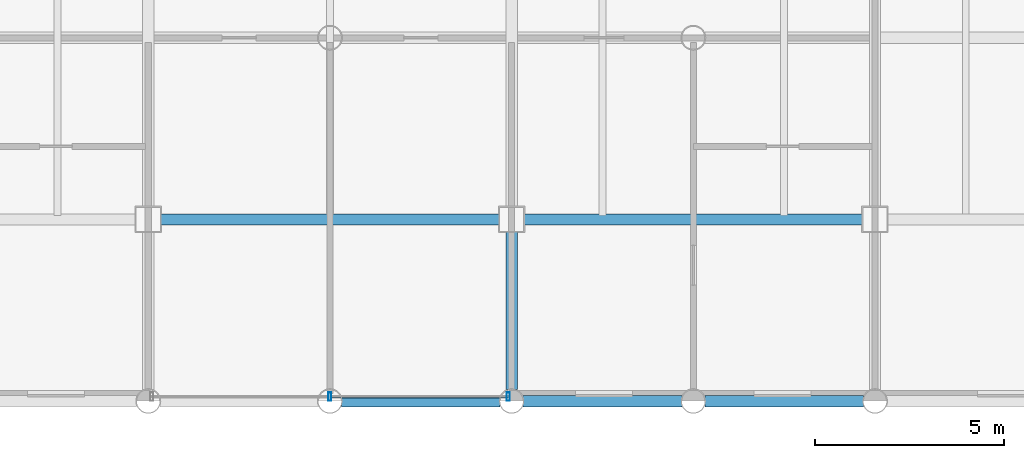
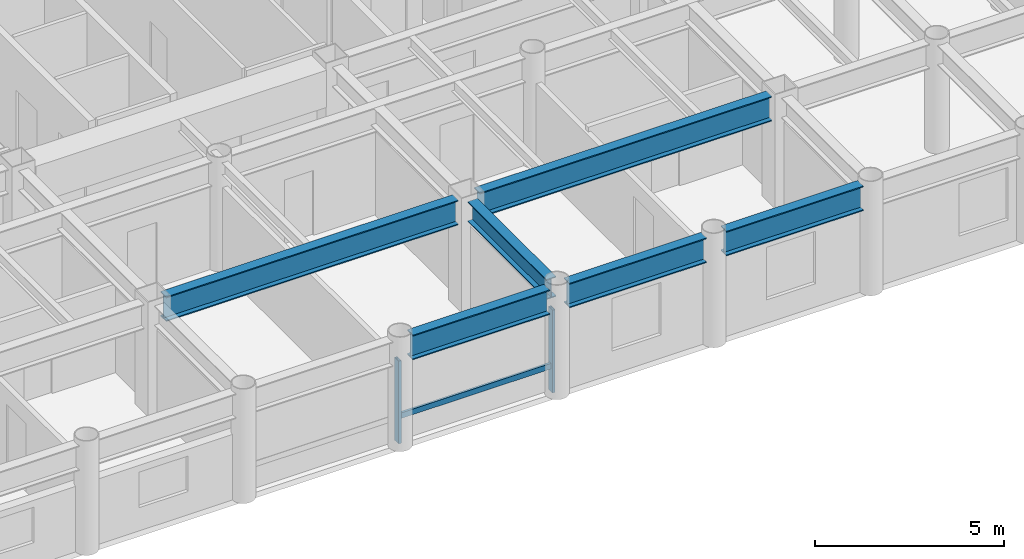
# One storey, part 6 of 20: 6 beams, 3 members, 1 element without a shape of its own.
"""IFC4 building model written with IfcOpenShell, lengths in metres."""

from ifc_helpers import new_model, si_unit, direction, frame, origin, origin_2d, place, context, subcontext, project, spatial, hollow_rectangle, i_section, extrude, material, layer, layer_set, material_profile, profile_set, type_object, element, aggregate, save


model = new_model("IFC4")

# Units and contexts
model_context = context("Model", 3, precision=1e-05, world=origin(), true_north=direction((0.0, 1.0)))
body_context = subcontext(model_context, "Body", "Model", "MODEL_VIEW")
ifc_project = project(units=[si_unit("LENGTHUNIT", "METRE"), si_unit("AREAUNIT", "SQUARE_METRE"), si_unit("VOLUMEUNIT", "CUBIC_METRE"), si_unit("PLANEANGLEUNIT", "RADIAN"), si_unit("MASSUNIT", "GRAM", prefix="KILO")], contexts=[model_context])

# Site, building, storey
site_placement = place(None, origin())
site = spatial("IfcSite", under=ifc_project, at=site_placement, CompositionType="ELEMENT")
building_placement = place(site_placement, origin())
building = spatial("IfcBuilding", under=site, at=building_placement, Name="Kallvorn Hotel Tower", CompositionType="ELEMENT")
storey_placement = place(building_placement, frame((0.0, 0.0, 135.89990234375)))
storey = spatial("IfcBuildingStorey", under=building, at=storey_placement, Name="L33", CompositionType="ELEMENT", Elevation=135.89990234375)

# Beams
ifc_material_1 = material(Name="Structural steel S355JR", Category="steel")
ifc_material_profile_1 = material_profile(ifc_material_1, i_section(OverallWidth=0.300048828125, OverallDepth=0.64990234375, WebThickness=0.01611328125, FlangeThickness=0.031005859375, at=origin_2d()), Name="HE 650 B")
ifc_profile_set_1 = profile_set([ifc_material_profile_1], Name="Structural steel S355JR")
beam_type_1 = type_object("IfcBeamType", Name="BM_HE650B", PredefinedType="BEAM", material=ifc_profile_set_1)
beam_1_placement = place(storey_placement, frame((4.800048828125, -18.89501953125, 3.195068359375), z_axis=(0.0, 1.0, 0.0), x_axis=(-1.0, 0.0, 0.0)))
element("IfcBeam", 1, at=beam_1_placement, inside=storey, type_object=beam_type_1, Name="L34 Primary Y-Girder 114", PredefinedType="BEAM", context=body_context, shape_type="SweptSolid", body=[
    extrude(i_section(OverallWidth=0.300048828125, OverallDepth=0.64990234375, WebThickness=0.01611328125, FlangeThickness=0.031005859375, at=origin_2d()), origin(), (0.0, 0.0, 1.0), 4.169921875),
])
ifc_material_2 = material(Name="Structural steel S355JR", Category="steel")
ifc_material_profile_2 = material_profile(ifc_material_2, i_section(OverallWidth=0.300048828125, OverallDepth=0.800048828125, WebThickness=0.017578125, FlangeThickness=0.032958984375, at=origin_2d()), Name="HE 800 B")
ifc_profile_set_2 = profile_set([ifc_material_profile_2], Name="Structural steel S355JR")
beam_type_2 = type_object("IfcBeamType", Name="BM_HE800B", PredefinedType="BEAM", material=ifc_profile_set_2)
beam_2_placement = place(storey_placement, frame((0.304931640625, -19.199951171875, 3.1201171875), z_axis=(1.0, 0.0, 0.0), x_axis=(0.0, 1.0, 0.0)))
element("IfcBeam", 2, at=beam_2_placement, inside=storey, type_object=beam_type_2, Name="L34 Primary X-Girder 07", PredefinedType="BEAM", context=body_context, shape_type="SweptSolid", body=[
    extrude(i_section(OverallWidth=0.300048828125, OverallDepth=0.800048828125, WebThickness=0.017578125, FlangeThickness=0.032958984375, at=origin_2d()), origin(), (0.0, 0.0, 1.0), 4.190185546875),
])
for number, where, z_axis, x_axis, name in (
    (3, (5.10498046875, -19.199951171875, 3.1201171875), (1.0, 0.0, 0.0), (0.0, 1.0, 0.0), "L34 Primary X-Girder 08"),
    (4, (9.905029296875, -19.199951171875, 3.1201171875), (1.0, 0.0, 0.0), (0.0, 1.0, 0.0), "L34 Primary X-Girder 09"),
):
    element("IfcBeam", number, at=place(storey_placement, frame(where, z_axis=z_axis, x_axis=x_axis)), inside=storey, type_object=beam_type_2, Name=name, PredefinedType="BEAM", context=body_context, shape_type="SweptSolid", body=[
        extrude(i_section(OverallWidth=0.300048828125, OverallDepth=0.800048828125, WebThickness=0.017578125, FlangeThickness=0.032958984375, at=origin_2d()), origin(), (0.0, 0.0, 1.0), 4.18994140625),
    ])
beam_3_placement = place(storey_placement, frame((-4.47509765625, -14.39990234375, 3.1201171875), z_axis=(1.0, 0.0, 0.0), x_axis=(0.0, 1.0, 0.0)))
element("IfcBeam", 5, at=beam_3_placement, inside=storey, type_object=beam_type_2, Name="L34 Primary X-Girder 18", PredefinedType="BEAM", context=body_context, shape_type="SweptSolid", body=[
    extrude(i_section(OverallWidth=0.300048828125, OverallDepth=0.800048828125, WebThickness=0.017578125, FlangeThickness=0.032958984375, at=origin_2d()), origin(), (0.0, 0.0, 1.0), 8.9501953125),
])
beam_4_placement = place(storey_placement, frame((5.125, -14.39990234375, 3.1201171875), z_axis=(1.0, 0.0, 0.0), x_axis=(0.0, 1.0, 0.0)))
element("IfcBeam", 6, at=beam_4_placement, inside=storey, type_object=beam_type_2, Name="L34 Primary X-Girder 19", PredefinedType="BEAM", context=body_context, shape_type="SweptSolid", body=[
    extrude(i_section(OverallWidth=0.300048828125, OverallDepth=0.800048828125, WebThickness=0.017578125, FlangeThickness=0.032958984375, at=origin_2d()), origin(), (0.0, 0.0, 1.0), 8.949951171875),
])

# Curtain wall, members
ifc_material_3 = material(Name="Thermally broken black-anodised aluminium AA 6063-T6", Category="aluminium")
ifc_layer = layer(ifc_material_3, 0.2099609375)
ifc_layer_set = layer_set([ifc_layer], Name="CW_SYS_4_HOTEL_MID")
curtain_wall_type = type_object("IfcCurtainWallType", Name="CW_SYS_4_HOTEL_MID", PredefinedType="USERDEFINED", material=ifc_layer_set)
curtain_wall_placement = place(storey_placement, origin())
curtain_wall = element("IfcCurtainWall", 7, at=curtain_wall_placement, inside=storey, type_object=curtain_wall_type, Name="L33 Dark-Glass Curtain Wall CW-L33-SC", ObjectType="UNITISED CURTAIN WALL", PredefinedType="USERDEFINED")
ifc_material_4 = material(Name="Thermally broken black-anodised aluminium AA 6063-T6", Category="aluminium")
ifc_material_profile_3 = material_profile(ifc_material_4, hollow_rectangle(XDim=0.080078125, YDim=0.219970703125, WallThickness=0.0048828125, at=origin_2d()), Name="MUL 220x80")
ifc_profile_set_3 = profile_set([ifc_material_profile_3], Name="Thermally broken black-anodised aluminium AA 6063-T6")
member_type_1 = type_object("IfcMemberType", Name="CW_MULLION_220x80", PredefinedType="MULLION", material=ifc_profile_set_3)
member_1_placement = place(storey_placement, frame((0.0, -19.080078125, 0.02001953125), z_axis=(0.0, 0.0, 1.0), x_axis=(1.0, 0.0, 0.0)))
member_1 = element("IfcMember", 8, at=member_1_placement, type_object=member_type_1, Name="CW-L33-SC Mullion 01", PredefinedType="MULLION", context=body_context, shape_type="SweptSolid", body=[
    extrude(hollow_rectangle(XDim=0.080078125, YDim=0.219970703125, WallThickness=0.0048828125, at=origin_2d()), origin(), (0.0, 0.0, 1.0), 2.68017578125),
])
member_2_placement = place(storey_placement, frame((4.7099609375, -19.080078125, 0.02001953125), z_axis=(0.0, 0.0, 1.0), x_axis=(1.0, 0.0, 0.0)))
member_2 = element("IfcMember", 9, at=member_2_placement, type_object=member_type_1, Name="CW-L33-SC Mullion 02", PredefinedType="MULLION", context=body_context, shape_type="SweptSolid", body=[
    extrude(hollow_rectangle(XDim=0.080078125, YDim=0.219970703125, WallThickness=0.0048828125, at=origin_2d()), origin(), (0.0, 0.0, 1.0), 2.68017578125),
])
ifc_material_5 = material(Name="Thermally broken black-anodised aluminium AA 6063-T6", Category="aluminium")
ifc_material_profile_4 = material_profile(ifc_material_5, hollow_rectangle(XDim=0.070068359375, YDim=0.179931640625, WallThickness=0.00390625, at=origin_2d()), Name="TRN 180x70")
ifc_profile_set_4 = profile_set([ifc_material_profile_4], Name="Thermally broken black-anodised aluminium AA 6063-T6")
member_type_2 = type_object("IfcMemberType", Name="CW_TRANSOM_180x70", PredefinedType="USERDEFINED", material=ifc_profile_set_4)
member_3_placement = place(storey_placement, frame((0.0400390625, -19.080078125, 0.85009765625), z_axis=(1.0, 0.0, 0.0), x_axis=(0.0, 1.0, 0.0)))
member_3 = element("IfcMember", 10, at=member_3_placement, type_object=member_type_2, Name="CW-L33-SC Transom 01M", ObjectType="TRANSOM", PredefinedType="USERDEFINED", context=body_context, shape_type="SweptSolid", body=[
    extrude(hollow_rectangle(XDim=0.070068359375, YDim=0.179931640625, WallThickness=0.00390625, at=origin_2d()), origin(), (0.0, 0.0, 1.0), 4.669921875),
])
aggregate(curtain_wall, [member_1, member_2, member_3])

save(model, "model.ifc")
